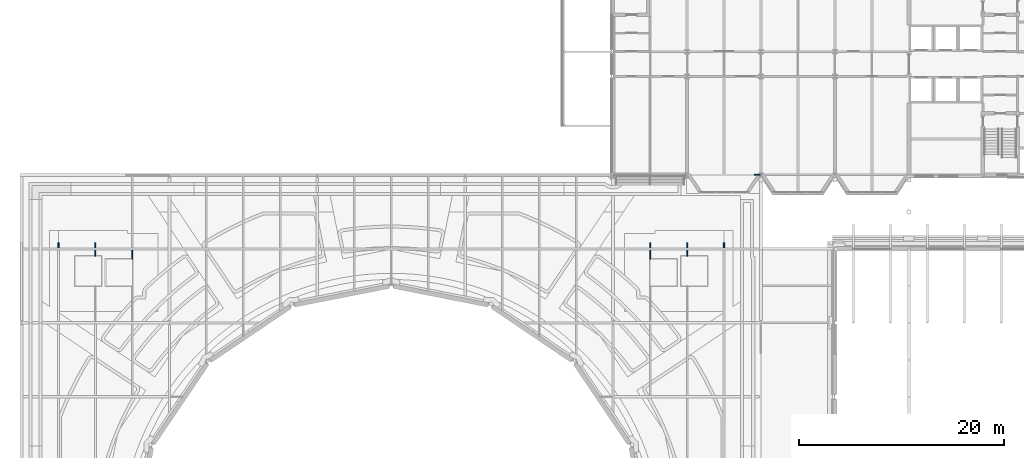
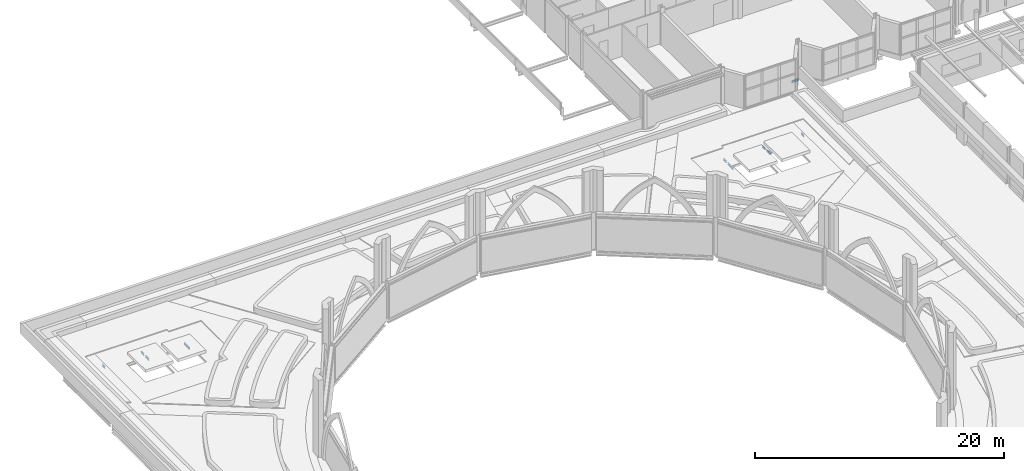
# One storey, part 34 of 110: 10 beams.
"""IFC4 building model written with IfcOpenShell, lengths in metres."""

from ifc_helpers import new_model, si_unit, direction, frame, origin, origin_2d, place, context, subcontext, project, spatial, i_section, extrude, material, material_profile, profile_set, type_object, element, save


model = new_model("IFC4")

# Units and contexts
model_context = context("Model", 3, precision=1e-05, world=origin(), true_north=direction((0.0, 1.0)))
body_context = subcontext(model_context, "Body", "Model", "MODEL_VIEW")
ifc_project = project(units=[si_unit("LENGTHUNIT", "METRE"), si_unit("AREAUNIT", "SQUARE_METRE"), si_unit("VOLUMEUNIT", "CUBIC_METRE"), si_unit("PLANEANGLEUNIT", "RADIAN"), si_unit("MASSUNIT", "GRAM", prefix="KILO")], contexts=[model_context])

# Site, building, storey
site_placement = place(None, origin())
site = spatial("IfcSite", under=ifc_project, at=site_placement, CompositionType="ELEMENT")
building_placement = place(site_placement, origin())
building = spatial("IfcBuilding", under=site, at=building_placement, Name="Kupolbacken Congress Centre", CompositionType="ELEMENT")
storey_placement = place(building_placement, frame((0.0, 0.0, 18.0)))
storey = spatial("IfcBuildingStorey", under=building, at=storey_placement, Name="L05", CompositionType="ELEMENT", Elevation=18.0)

# Beams
ifc_material = material(Name="Steel S355", Category="steel")
ifc_material_profile = material_profile(ifc_material, i_section(OverallWidth=0.10009765625, OverallDepth=0.199951171875, WebThickness=0.005615234375, FlangeThickness=0.008544921875, FilletRadius=0.011962890625, at=origin_2d()), Name="IPE 200")
ifc_profile_set = profile_set([ifc_material_profile], Name="Steel S355")
beam_type = type_object("IfcBeamType", Name="B01 beam IPE 200", PredefinedType="BEAM", material=ifc_profile_set)
beam_1_placement = place(storey_placement, frame((78.52490234375, 122.39990234375, -0.280029296875), z_axis=(1.0, 0.0, 0.0), x_axis=(0.0, 1.0, 0.0)))
element("IfcBeam", 1, at=beam_1_placement, inside=storey, type_object=beam_type, Name="S/floor/P/L05/R075", PredefinedType="BEAM", context=body_context, shape_type="SweptSolid", body=[
    extrude(i_section(OverallWidth=0.10009765625, OverallDepth=0.199951171875, WebThickness=0.005615234375, FlangeThickness=0.008544921875, FilletRadius=0.011962890625, at=origin_2d()), origin(), (0.0, 0.0, 1.0), 0.66455078125),
])
beam_2_placement = place(storey_placement, frame((10.800048828125, 115.31005859375, -0.280029296875), z_axis=(0.0, 1.0, 0.0), x_axis=(-1.0, 0.0, 0.0)))
element("IfcBeam", 2, at=beam_2_placement, inside=storey, type_object=beam_type, Name="S/floor/P/L05/S084", PredefinedType="BEAM", context=body_context, shape_type="SweptSolid", body=[
    extrude(i_section(OverallWidth=0.10009765625, OverallDepth=0.199951171875, WebThickness=0.005615234375, FlangeThickness=0.008544921875, FilletRadius=0.011962890625, at=origin_2d()), origin(), (0.0, 0.0, 1.0), 0.46484375),
])
beam_3_placement = place(storey_placement, frame((14.39990234375, 114.5, -0.280029296875), z_axis=(0.0, 1.0, 0.0), x_axis=(-1.0, 0.0, 0.0)))
element("IfcBeam", 3, at=beam_3_placement, inside=storey, type_object=beam_type, Name="S/floor/P/L05/S094", PredefinedType="BEAM", context=body_context, shape_type="SweptSolid", body=[
    extrude(i_section(OverallWidth=0.10009765625, OverallDepth=0.199951171875, WebThickness=0.005615234375, FlangeThickness=0.008544921875, FilletRadius=0.011962890625, at=origin_2d()), origin(), (0.0, 0.0, 1.0), 0.590087890625),
])
beam_4_placement = place(storey_placement, frame((14.39990234375, 115.31005859375, -0.280029296875), z_axis=(0.0, 1.0, 0.0), x_axis=(-1.0, 0.0, 0.0)))
element("IfcBeam", 4, at=beam_4_placement, inside=storey, type_object=beam_type, Name="S/floor/P/L05/S095", PredefinedType="BEAM", context=body_context, shape_type="SweptSolid", body=[
    extrude(i_section(OverallWidth=0.10009765625, OverallDepth=0.199951171875, WebThickness=0.005615234375, FlangeThickness=0.008544921875, FilletRadius=0.011962890625, at=origin_2d()), origin(), (0.0, 0.0, 1.0), 0.46484375),
])
beam_5_placement = place(storey_placement, frame((72.0, 114.5, -0.280029296875), z_axis=(0.0, 1.0, 0.0), x_axis=(-1.0, 0.0, 0.0)))
element("IfcBeam", 5, at=beam_5_placement, inside=storey, type_object=beam_type, Name="S/floor/P/L05/S149", PredefinedType="BEAM", context=body_context, shape_type="SweptSolid", body=[
    extrude(i_section(OverallWidth=0.10009765625, OverallDepth=0.199951171875, WebThickness=0.005615234375, FlangeThickness=0.008544921875, FilletRadius=0.011962890625, at=origin_2d()), origin(), (0.0, 0.0, 1.0), 0.590087890625),
])
for number, where, z_axis, x_axis, name in (
    (6, (72.0, 115.31005859375, -0.280029296875), (0.0, 1.0, 0.0), (-1.0, 0.0, 0.0), "S/floor/P/L05/S150"),
    (7, (75.60009765625, 115.31005859375, -0.280029296875), (0.0, 1.0, 0.0), (-1.0, 0.0, 0.0), "S/floor/P/L05/S160"),
):
    element("IfcBeam", number, at=place(storey_placement, frame(where, z_axis=z_axis, x_axis=x_axis)), inside=storey, type_object=beam_type, Name=name, PredefinedType="BEAM", context=body_context, shape_type="SweptSolid", body=[
        extrude(i_section(OverallWidth=0.10009765625, OverallDepth=0.199951171875, WebThickness=0.005615234375, FlangeThickness=0.008544921875, FilletRadius=0.011962890625, at=origin_2d()), origin(), (0.0, 0.0, 1.0), 0.46484375),
    ])
for number, where, z_axis, x_axis, name in (
    (8, (18.0, 114.199951171875, -0.280029296875), (0.0, 1.0, 0.0), (-1.0, 0.0, 0.0), "S/floor/P/L05/S171"),
    (9, (68.39990234375, 114.199951171875, -0.280029296875), (0.0, 1.0, 0.0), (-1.0, 0.0, 0.0), "S/floor/P/L05/S175"),
):
    element("IfcBeam", number, at=place(storey_placement, frame(where, z_axis=z_axis, x_axis=x_axis)), inside=storey, type_object=beam_type, Name=name, PredefinedType="BEAM", context=body_context, shape_type="SweptSolid", body=[
        extrude(i_section(OverallWidth=0.10009765625, OverallDepth=0.199951171875, WebThickness=0.005615234375, FlangeThickness=0.008544921875, FilletRadius=0.011962890625, at=origin_2d()), origin(), (0.0, 0.0, 1.0), 0.89013671875),
    ])
beam_6_placement = place(storey_placement, frame((68.39990234375, 115.31005859375, -0.280029296875), z_axis=(0.0, 1.0, 0.0), x_axis=(-1.0, 0.0, 0.0)))
element("IfcBeam", 10, at=beam_6_placement, inside=storey, type_object=beam_type, Name="S/floor/P/L05/S176", PredefinedType="BEAM", context=body_context, shape_type="SweptSolid", body=[
    extrude(i_section(OverallWidth=0.10009765625, OverallDepth=0.199951171875, WebThickness=0.005615234375, FlangeThickness=0.008544921875, FilletRadius=0.011962890625, at=origin_2d()), origin(), (0.0, 0.0, 1.0), 0.46484375),
])

save(model, "model.ifc")
